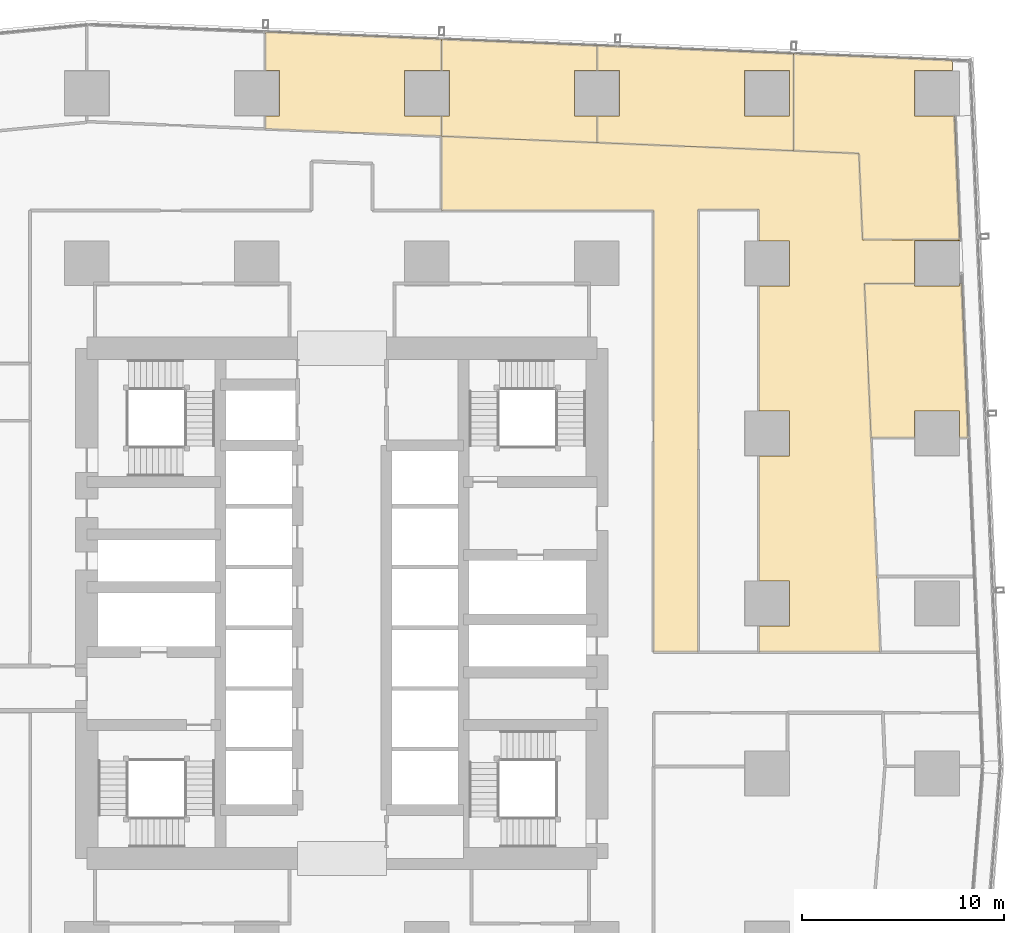
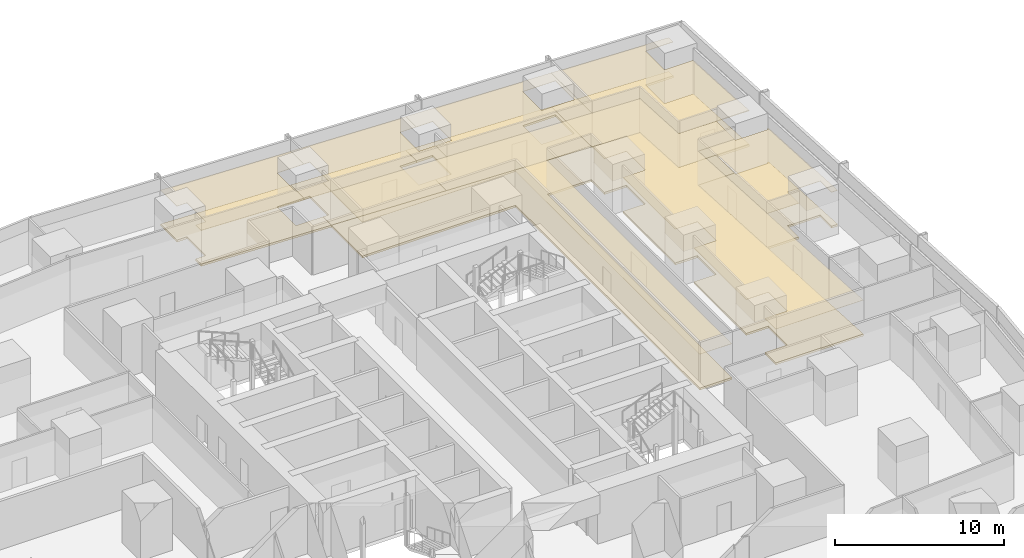
# One storey, part 42 of 42: 12 coverings.
"""IFC4 building model written with IfcOpenShell, lengths in metres."""

import ifcopenshell
import ifcopenshell.guid

model = None  # the IFC model being written
_history = None  # IfcOwnerHistory: only IFC2X3 demands one
_inside = {}  # id of a spatial element -> (the spatial element, [elements in it])
_under = {}  # id of a project, library or spatial element -> (it, [spatial elements below it])
_declared = {}  # id of a project -> (the project, [libraries it declares])
_typed = {}  # id of a type object -> (the type object, [elements of that type])
_made_of = {}  # id of a material, layer set ... -> (it, [elements and type objects made of it])


def new_model(schema):
    """Start an empty IFC model of exactly this schema.

    Asked for "IFC4X3", IfcOpenShell would pick the latest addendum, in which some entities
    have other attributes; the version numbers below select the first issue.
    IFC2X3 requires an IfcOwnerHistory on every rooted entity: one is made here for all.
    """
    global model, _history
    if schema == "IFC4X3":
        model = ifcopenshell.file(schema_version=(4, 3, 0, 0))
    else:
        model = ifcopenshell.file(schema=schema)
    _inside.clear()
    _under.clear()
    _declared.clear()
    _typed.clear()
    _made_of.clear()
    _history = None
    if model.schema == "IFC2X3":
        org = make("IfcOrganization", Name="unknown")
        user = make(
            "IfcPersonAndOrganization",
            ThePerson=make("IfcPerson", FamilyName="unknown"),
            TheOrganization=org,
        )
        app = make(
            "IfcApplication",
            ApplicationDeveloper=org,
            Version="unknown",
            ApplicationFullName="unknown",
            ApplicationIdentifier="unknown",
        )
        _history = make(
            "IfcOwnerHistory",
            OwningUser=user,
            OwningApplication=app,
            ChangeAction="ADDED",
            CreationDate=0,
        )
    return model


def make(cls, **values):
    """One entity of the class cls with the attributes given. An attribute that is None is left unset."""
    return model.create_entity(
        cls, **{name: value for name, value in values.items() if value is not None}
    )


def rooted(cls, **values):
    """An entity with a GlobalId (a new one), such as an element, a storey or a relation."""
    return make(cls, GlobalId=ifcopenshell.guid.new(), OwnerHistory=_history, **values)


def si_unit(unit_type, name, prefix=None):
    """IfcSIUnit, for example si_unit("LENGTHUNIT", "METRE", prefix="MILLI")."""
    return make("IfcSIUnit", UnitType=unit_type, Prefix=prefix, Name=name)


def assignment(units):
    """IfcUnitAssignment: the units of a project."""
    return None if units is None else make("IfcUnitAssignment", Units=units)


def point(xyz):
    """IfcCartesianPoint."""
    return None if xyz is None else make("IfcCartesianPoint", Coordinates=xyz)


def direction(xyz):
    """IfcDirection."""
    return None if xyz is None else make("IfcDirection", DirectionRatios=xyz)


def frame(location, z_axis=None, x_axis=None):
    """IfcAxis2Placement3D, a coordinate frame: its origin and axes. An axis left out is left unset."""
    return make(
        "IfcAxis2Placement3D",
        Location=point(location),
        Axis=direction(z_axis),
        RefDirection=direction(x_axis),
    )


def origin():
    """The frame at (0, 0, 0) with its axes left unset."""
    return frame((0.0, 0.0, 0.0))


def place(relative_to, where):
    """IfcLocalPlacement: puts the frame where relative to a parent placement (None: the world)."""
    return make(
        "IfcLocalPlacement", PlacementRelTo=relative_to, RelativePlacement=where
    )


def context(
    kind, dimensions, precision=None, world=None, true_north=None, identifier=None
):
    """IfcGeometricRepresentationContext, for example the 3D "Model" context."""
    return make(
        "IfcGeometricRepresentationContext",
        ContextIdentifier=identifier,
        ContextType=kind,
        CoordinateSpaceDimension=dimensions,
        Precision=precision,
        WorldCoordinateSystem=world,
        TrueNorth=true_north,
    )


def subcontext(parent, identifier, kind, view, scale=None):
    """IfcGeometricRepresentationSubContext, for example "Body" below "Model"."""
    return make(
        "IfcGeometricRepresentationSubContext",
        ContextIdentifier=identifier,
        ContextType=kind,
        ParentContext=parent,
        TargetScale=scale,
        TargetView=view,
    )


def project(units=None, contexts=None):
    """IfcProject with its units and contexts."""
    return rooted(
        "IfcProject",
        Name="project",
        RepresentationContexts=contexts,
        UnitsInContext=assignment(units),
    )


def spatial(cls, under=None, at=None, **own):
    """A site, building, storey or space (cls), placed at a placement, below another one or the project."""
    s = rooted(cls, ObjectPlacement=at, **own)
    if under is not None:
        _under.setdefault(under.id(), (under, []))[1].append(s)
    return s


def polyline(points):
    """IfcPolyline through the points."""
    return make("IfcPolyline", Points=[point(p) for p in points])


def outline(outer, holes=None, kind="AREA"):
    """IfcArbitraryClosedProfileDef: a profile drawn as a closed curve; with holes, ...WithVoids."""
    if holes is None:
        return make("IfcArbitraryClosedProfileDef", ProfileType=kind, OuterCurve=outer)
    return make(
        "IfcArbitraryProfileDefWithVoids",
        ProfileType=kind,
        OuterCurve=outer,
        InnerCurves=holes,
    )


def extrude(swept, where, along, depth):
    """IfcExtrudedAreaSolid: the profile swept, set in the frame where, extruded along a direction by depth."""
    return make(
        "IfcExtrudedAreaSolid",
        SweptArea=swept,
        Position=where,
        ExtrudedDirection=direction(along),
        Depth=depth,
    )


def shape(context_of_items, identifier, shape_type, items):
    """IfcShapeRepresentation: the items that make up one representation, for example the "Body"."""
    return make(
        "IfcShapeRepresentation",
        ContextOfItems=context_of_items,
        RepresentationIdentifier=identifier,
        RepresentationType=shape_type,
        Items=items,
    )


def material(Name=None, Category=None):
    """IfcMaterial."""
    return make("IfcMaterial", Name=Name, Category=Category)


def layer(
    of_material, thickness, ventilated=None, Name=None, Category=None, Priority=None
):
    """IfcMaterialLayer: one layer of a wall or slab, of a material (None: an air gap)."""
    return make(
        "IfcMaterialLayer",
        Material=of_material,
        LayerThickness=thickness,
        IsVentilated=ventilated,
        Name=Name,
        Category=Category,
        Priority=Priority,
    )


def layer_set(layers, Name=None):
    """IfcMaterialLayerSet."""
    return make("IfcMaterialLayerSet", MaterialLayers=layers, LayerSetName=Name)


def made_of(thing, what):
    """Note that an element or type object is made of a material, layer set ...; save() writes the relation."""
    if what is not None:
        _made_of.setdefault(what.id(), (what, []))[1].append(thing)
    return thing


def type_object(cls, material=None, **own):
    """A type object (cls), such as IfcWallType, which elements share."""
    return made_of(rooted(cls, **own), material)


def element(
    cls,
    number,
    at=None,
    inside=None,
    cuts=None,
    type_object=None,
    material=None,
    context=None,
    identifier="Body",
    shape_type=None,
    held_by="IfcProductDefinitionShape",
    body=None,
    shapes=None,
    **own,
):
    """One element of the class cls, such as IfcWall. Its Tag is "e" and its number.

    at: its placement. inside: the storey or other place that contains it. cuts: it is an
    opening in that element (IfcRelVoidsElement). A single representation is given by context,
    identifier, shape_type and body (its items); several are given by shapes. held_by: the class
    of the entity that holds the representations. save() writes the other relations.
    """
    e = rooted(cls, Tag="e%d" % number, ObjectPlacement=at, **own)
    if body is not None:
        shapes = [shape(context, identifier, shape_type, body)]
    if shapes is not None:
        e.Representation = make(held_by, Representations=shapes)
    if inside is not None:
        _inside.setdefault(inside.id(), (inside, []))[1].append(e)
    if cuts is not None:
        rooted(
            "IfcRelVoidsElement", RelatingBuildingElement=cuts, RelatedOpeningElement=e
        )
    if type_object is not None:
        _typed.setdefault(type_object.id(), (type_object, []))[1].append(e)
    return made_of(e, material)


def aggregate(whole, parts):
    """IfcRelAggregates: a whole, such as a stair, and the parts it consists of."""
    return rooted("IfcRelAggregates", RelatingObject=whole, RelatedObjects=parts)


def save(model, path):
    """Write the relations noted so far, then the file.

    IfcRelAggregates (storeys below a building ...), IfcRelContainedInSpatialStructure (elements
    in a storey), IfcRelDefinesByType, IfcRelAssociatesMaterial and IfcRelDeclares: one each for
    every whole, place, type object, material and project.
    """
    for whole, parts in _under.values():
        aggregate(whole, parts)
    for where, things in _inside.values():
        rooted(
            "IfcRelContainedInSpatialStructure",
            RelatedElements=things,
            RelatingStructure=where,
        )
    for kind, things in _typed.values():
        rooted("IfcRelDefinesByType", RelatedObjects=things, RelatingType=kind)
    for what, things in _made_of.values():
        rooted("IfcRelAssociatesMaterial", RelatedObjects=things, RelatingMaterial=what)
    for by, libraries in _declared.values():
        rooted("IfcRelDeclares", RelatingContext=by, RelatedDefinitions=libraries)
    model.write(path)


model = new_model("IFC4")

# Units and contexts
model_context = context("Model", 3, precision=1e-05, world=origin(), true_north=direction((0.0, 1.0)))
body_context = subcontext(model_context, "Body", "Model", "MODEL_VIEW")
ifc_project = project(units=[si_unit("LENGTHUNIT", "METRE"), si_unit("AREAUNIT", "SQUARE_METRE"), si_unit("VOLUMEUNIT", "CUBIC_METRE"), si_unit("PLANEANGLEUNIT", "RADIAN"), si_unit("MASSUNIT", "GRAM", prefix="KILO")], contexts=[model_context])

# Site, building, storey
site_placement = place(None, origin())
site = spatial("IfcSite", under=ifc_project, at=site_placement, CompositionType="ELEMENT")
building_placement = place(site_placement, origin())
building = spatial("IfcBuilding", under=site, at=building_placement, Name="Rekha Terrace Tower", CompositionType="ELEMENT")
storey_placement = place(building_placement, frame((0.0, 0.0, 55.39990234375)))
storey = spatial("IfcBuildingStorey", under=building, at=storey_placement, Name="L13", CompositionType="ELEMENT", Elevation=55.39990234375)

# Coverings
ifc_material_1 = material(Name="Mineral fibre tile in exposed grid", Category="finish")
ifc_layer_1 = layer(ifc_material_1, 0.02001953125)
ifc_layer_set_1 = layer_set([ifc_layer_1], Name="Mineral fibre tile in exposed grid")
covering_type_1 = type_object("IfcCoveringType", Name="CL1 600x1200 office grid ceiling", PredefinedType="CEILING", material=ifc_layer_set_1)
covering_1_placement = place(storey_placement, frame((0.0, 0.0, 2.580078125)))
element("IfcCovering", 1, at=covering_1_placement, inside=storey, type_object=covering_type_1, Name="Ceiling L13-08", PredefinedType="CEILING", context=body_context, shape_type="SweptSolid", body=[
    extrude(outline(polyline([(68.31494140625, 41.781982421875), (68.742919921875, 41.781982421875), (68.41796875, 49.39990234375), (68.31494140625, 49.39990234375), (68.31494140625, 49.284912109375), (66.0849609375, 49.284912109375), (66.0849609375, 49.39990234375), (63.613037109375, 49.39990234375), (63.93896484375, 41.781982421875), (66.0849609375, 41.781982421875), (66.0849609375, 43.114990234375), (68.31494140625, 43.114990234375), (68.31494140625, 41.781982421875)])), origin(), (0.0, 0.0, 1.0), 0.02001953125),
])
covering_2_placement = place(storey_placement, frame((0.0, 0.0, 2.580078125)))
element("IfcCovering", 2, at=covering_2_placement, inside=storey, type_object=covering_type_1, Name="Ceiling L13-09", PredefinedType="CEILING", context=body_context, shape_type="SweptSolid", body=[
    extrude(outline(polyline([(67.946044921875, 60.443115234375), (60.112060546875, 60.76611328125), (60.112060546875, 55.9619140625), (63.339111328125, 55.8291015625), (63.52099609375, 51.556884765625), (68.325927734375, 51.556884765625), (68.06396484375, 57.68505859375), (66.0849609375, 57.68505859375), (66.0849609375, 59.9150390625), (67.968994140625, 59.9150390625), (67.946044921875, 60.443115234375)])), origin(), (0.0, 0.0, 1.0), 0.02001953125),
])
covering_3_placement = place(storey_placement, frame((0.0, 0.0, 2.580078125)))
element("IfcCovering", 3, at=covering_3_placement, inside=storey, type_object=covering_type_1, Name="Ceiling L13-10", PredefinedType="CEILING", context=body_context, shape_type="SweptSolid", body=[
    extrude(outline(polyline([(60.111083984375, 55.9619140625), (60.111083984375, 60.76611328125), (50.402099609375, 61.166015625), (50.402099609375, 59.9150390625), (51.514892578125, 59.9150390625), (51.514892578125, 57.68505859375), (50.402099609375, 57.68505859375), (50.402099609375, 56.362060546875), (60.111083984375, 55.9619140625)]), holes=[polyline([(59.9150390625, 57.68505859375), (57.68505859375, 57.68505859375), (57.68505859375, 59.9150390625), (59.9150390625, 59.9150390625), (59.9150390625, 57.68505859375)])]), origin(), (0.0, 0.0, 1.0), 0.02001953125),
])
covering_4_placement = place(storey_placement, frame((0.0, 0.0, 2.580078125)))
element("IfcCovering", 4, at=covering_4_placement, inside=storey, type_object=covering_type_1, Name="Ceiling L13-11", PredefinedType="CEILING", context=body_context, shape_type="SweptSolid", body=[
    extrude(outline(polyline([(50.40087890625, 59.9150390625), (50.40087890625, 61.166015625), (42.718994140625, 61.48291015625), (42.718994140625, 59.9150390625), (43.114990234375, 59.9150390625), (43.114990234375, 57.68505859375), (42.718994140625, 57.68505859375), (42.718994140625, 56.678955078125), (50.40087890625, 56.362060546875), (50.40087890625, 57.68505859375), (49.284912109375, 57.68505859375), (49.284912109375, 59.9150390625), (50.40087890625, 59.9150390625)])), origin(), (0.0, 0.0, 1.0), 0.02001953125),
])
covering_5_placement = place(storey_placement, frame((0.0, 0.0, 2.580078125)))
element("IfcCovering", 5, at=covering_5_placement, inside=storey, type_object=covering_type_1, Name="Ceiling L13-O3", PredefinedType="CEILING", context=body_context, shape_type="SweptSolid", body=[
    extrude(outline(polyline([(60.111083984375, 55.9619140625), (50.40087890625, 56.362060546875), (42.718994140625, 56.678955078125), (42.718994140625, 53.0), (53.199951171875, 53.0), (53.199951171875, 31.199951171875), (55.39990234375, 31.199951171875), (55.39990234375, 53.050048828125), (58.39990234375, 53.050048828125), (58.39990234375, 51.514892578125), (59.9150390625, 51.514892578125), (59.9150390625, 49.284912109375), (58.39990234375, 49.284912109375), (58.39990234375, 43.114990234375), (59.9150390625, 43.114990234375), (59.9150390625, 40.885009765625), (58.39990234375, 40.885009765625), (58.39990234375, 34.715087890625), (59.9150390625, 34.715087890625), (59.9150390625, 32.485107421875), (58.39990234375, 32.485107421875), (58.39990234375, 31.199951171875), (64.39111328125, 31.199951171875), (64.23193359375, 34.931884765625), (64.23095703125, 34.931884765625), (63.93798828125, 41.797119140625), (63.613037109375, 49.39990234375), (66.0849609375, 49.39990234375), (66.0849609375, 51.514892578125), (68.327880859375, 51.514892578125), (68.325927734375, 51.556884765625), (63.52099609375, 51.556884765625), (63.339111328125, 55.8291015625), (60.111083984375, 55.9619140625)])), origin(), (0.0, 0.0, 1.0), 0.02001953125),
])
covering_6_placement = place(storey_placement, frame((0.0, 0.0, 2.580078125)))
element("IfcCovering", 6, at=covering_6_placement, inside=storey, type_object=covering_type_1, Name="Ceiling L13-13", PredefinedType="CEILING", context=body_context, shape_type="SweptSolid", body=[
    extrude(outline(polyline([(34.02294921875, 57.68505859375), (34.02294921875, 57.037109375), (42.718017578125, 56.678955078125), (42.718017578125, 57.68505859375), (40.885009765625, 57.68505859375), (40.885009765625, 59.9150390625), (42.718017578125, 59.9150390625), (42.718017578125, 61.48291015625), (34.02294921875, 61.841064453125), (34.02294921875, 59.9150390625), (34.715087890625, 59.9150390625), (34.715087890625, 57.68505859375), (34.02294921875, 57.68505859375)])), origin(), (0.0, 0.0, 1.0), 0.02001953125),
])
ifc_material_2 = material(Name="Calcium sulphate panels on steel pedestals", Category="steel")
ifc_layer_2 = layer(ifc_material_2, 0.14990234375)
ifc_layer_set_2 = layer_set([ifc_layer_2], Name="Calcium sulphate panels on steel pedestals")
covering_type_2 = type_object("IfcCoveringType", Name="RF1 150 raised access floor", PredefinedType="FLOORING", material=ifc_layer_set_2)
covering_7_placement = place(storey_placement, origin())
element("IfcCovering", 7, at=covering_7_placement, inside=storey, type_object=covering_type_2, Name="Raised floor L13-08", PredefinedType="FLOORING", context=body_context, shape_type="SweptSolid", body=[
    extrude(outline(polyline([(68.31494140625, 41.781982421875), (68.742919921875, 41.781982421875), (68.41796875, 49.39990234375), (68.31494140625, 49.39990234375), (68.31494140625, 49.284912109375), (66.0849609375, 49.284912109375), (66.0849609375, 49.39990234375), (63.613037109375, 49.39990234375), (63.93896484375, 41.781982421875), (66.0849609375, 41.781982421875), (66.0849609375, 43.114990234375), (68.31494140625, 43.114990234375), (68.31494140625, 41.781982421875)])), origin(), (0.0, 0.0, 1.0), 0.150146484375),
])
covering_8_placement = place(storey_placement, origin())
element("IfcCovering", 8, at=covering_8_placement, inside=storey, type_object=covering_type_2, Name="Raised floor L13-09", PredefinedType="FLOORING", context=body_context, shape_type="SweptSolid", body=[
    extrude(outline(polyline([(67.946044921875, 60.443115234375), (60.112060546875, 60.76611328125), (60.112060546875, 55.9619140625), (63.339111328125, 55.8291015625), (63.52099609375, 51.556884765625), (68.325927734375, 51.556884765625), (68.06396484375, 57.68505859375), (66.0849609375, 57.68505859375), (66.0849609375, 59.9150390625), (67.968994140625, 59.9150390625), (67.946044921875, 60.443115234375)])), origin(), (0.0, 0.0, 1.0), 0.150146484375),
])
covering_9_placement = place(storey_placement, origin())
element("IfcCovering", 9, at=covering_9_placement, inside=storey, type_object=covering_type_2, Name="Raised floor L13-10", PredefinedType="FLOORING", context=body_context, shape_type="SweptSolid", body=[
    extrude(outline(polyline([(60.111083984375, 55.9619140625), (60.111083984375, 60.76611328125), (50.402099609375, 61.166015625), (50.402099609375, 59.9150390625), (51.514892578125, 59.9150390625), (51.514892578125, 57.68505859375), (50.402099609375, 57.68505859375), (50.402099609375, 56.362060546875), (60.111083984375, 55.9619140625)]), holes=[polyline([(59.9150390625, 57.68505859375), (57.68505859375, 57.68505859375), (57.68505859375, 59.9150390625), (59.9150390625, 59.9150390625), (59.9150390625, 57.68505859375)])]), origin(), (0.0, 0.0, 1.0), 0.150146484375),
])
covering_10_placement = place(storey_placement, origin())
element("IfcCovering", 10, at=covering_10_placement, inside=storey, type_object=covering_type_2, Name="Raised floor L13-11", PredefinedType="FLOORING", context=body_context, shape_type="SweptSolid", body=[
    extrude(outline(polyline([(50.40087890625, 59.9150390625), (50.40087890625, 61.166015625), (42.718994140625, 61.48291015625), (42.718994140625, 59.9150390625), (43.114990234375, 59.9150390625), (43.114990234375, 57.68505859375), (42.718994140625, 57.68505859375), (42.718994140625, 56.678955078125), (50.40087890625, 56.362060546875), (50.40087890625, 57.68505859375), (49.284912109375, 57.68505859375), (49.284912109375, 59.9150390625), (50.40087890625, 59.9150390625)])), origin(), (0.0, 0.0, 1.0), 0.150146484375),
])
covering_11_placement = place(storey_placement, origin())
element("IfcCovering", 11, at=covering_11_placement, inside=storey, type_object=covering_type_2, Name="Raised floor L13-O3", PredefinedType="FLOORING", context=body_context, shape_type="SweptSolid", body=[
    extrude(outline(polyline([(60.111083984375, 55.9619140625), (50.40087890625, 56.362060546875), (42.718994140625, 56.678955078125), (42.718994140625, 53.0), (53.199951171875, 53.0), (53.199951171875, 31.199951171875), (55.39990234375, 31.199951171875), (55.39990234375, 53.050048828125), (58.39990234375, 53.050048828125), (58.39990234375, 51.514892578125), (59.9150390625, 51.514892578125), (59.9150390625, 49.284912109375), (58.39990234375, 49.284912109375), (58.39990234375, 43.114990234375), (59.9150390625, 43.114990234375), (59.9150390625, 40.885009765625), (58.39990234375, 40.885009765625), (58.39990234375, 34.715087890625), (59.9150390625, 34.715087890625), (59.9150390625, 32.485107421875), (58.39990234375, 32.485107421875), (58.39990234375, 31.199951171875), (64.39111328125, 31.199951171875), (64.23193359375, 34.931884765625), (64.23095703125, 34.931884765625), (63.93798828125, 41.797119140625), (63.613037109375, 49.39990234375), (66.0849609375, 49.39990234375), (66.0849609375, 51.514892578125), (68.327880859375, 51.514892578125), (68.325927734375, 51.556884765625), (63.52099609375, 51.556884765625), (63.339111328125, 55.8291015625), (60.111083984375, 55.9619140625)])), origin(), (0.0, 0.0, 1.0), 0.150146484375),
])
covering_12_placement = place(storey_placement, origin())
element("IfcCovering", 12, at=covering_12_placement, inside=storey, type_object=covering_type_2, Name="Raised floor L13-13", PredefinedType="FLOORING", context=body_context, shape_type="SweptSolid", body=[
    extrude(outline(polyline([(34.02294921875, 57.68505859375), (34.02294921875, 57.037109375), (42.718017578125, 56.678955078125), (42.718017578125, 57.68505859375), (40.885009765625, 57.68505859375), (40.885009765625, 59.9150390625), (42.718017578125, 59.9150390625), (42.718017578125, 61.48291015625), (34.02294921875, 61.841064453125), (34.02294921875, 59.9150390625), (34.715087890625, 59.9150390625), (34.715087890625, 57.68505859375), (34.02294921875, 57.68505859375)])), origin(), (0.0, 0.0, 1.0), 0.150146484375),
])

save(model, "model.ifc")
